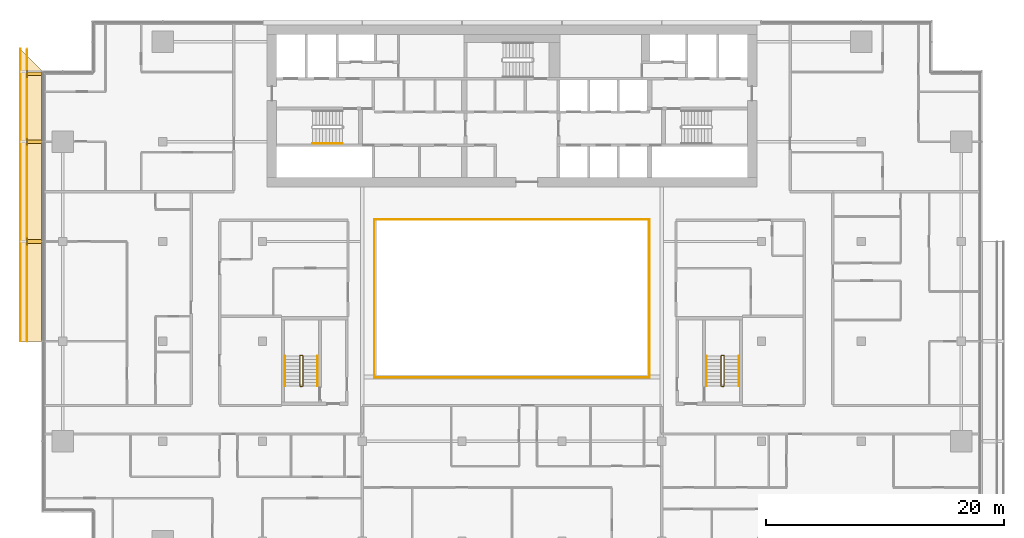
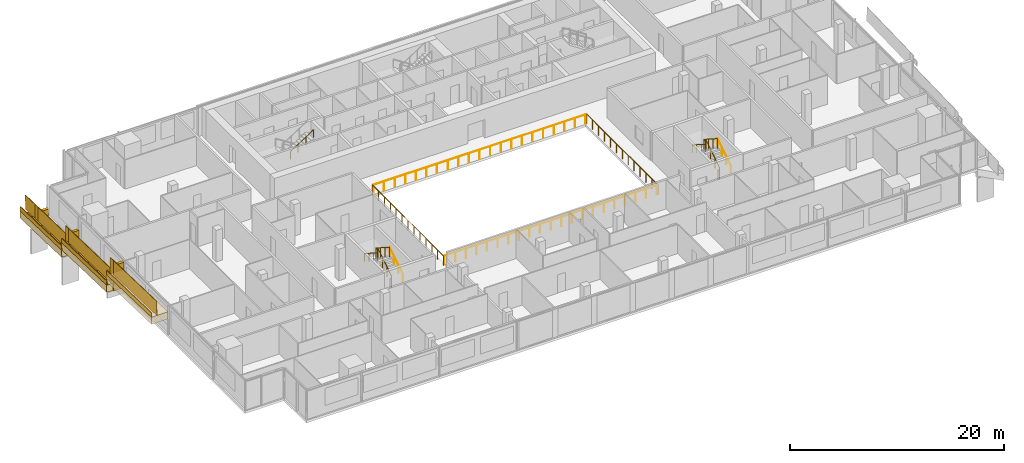
# One storey, part 25 of 27: 17 railings, 9 coverings.
"""IFC4 building model written with IfcOpenShell, lengths in metres."""

from ifc_helpers import new_model, si_unit, direction, frame, origin, origin_2d, place, context, subcontext, project, spatial, polyline, rectangle, circle, outline, extrude, material, layer, layer_set, type_object, element, save


model = new_model("IFC4")

# Units and contexts
model_context = context("Model", 3, precision=1e-05, world=origin(), true_north=direction((0.0, 1.0)))
body_context = subcontext(model_context, "Body", "Model", "MODEL_VIEW")
ifc_project = project(units=[si_unit("LENGTHUNIT", "METRE"), si_unit("AREAUNIT", "SQUARE_METRE"), si_unit("VOLUMEUNIT", "CUBIC_METRE"), si_unit("PLANEANGLEUNIT", "RADIAN"), si_unit("MASSUNIT", "GRAM", prefix="KILO")], contexts=[model_context])

# Site, building, storey
site_placement = place(None, origin())
site = spatial("IfcSite", under=ifc_project, at=site_placement, CompositionType="ELEMENT")
building_placement = place(site_placement, origin())
building = spatial("IfcBuilding", under=site, at=building_placement, Name="Saffron Gate Tower", CompositionType="ELEMENT")
storey_placement = place(building_placement, frame((0.0, 0.0, 183.449951171875)))
storey = spatial("IfcBuildingStorey", under=building, at=storey_placement, Name="L45", CompositionType="ELEMENT", Elevation=183.449951171875)

# Railings
ifc_material_1 = material(Name="Stainless steel and laminated glass", Category="steel")
railing_type_1 = type_object("IfcRailingType", Name="AG1 Atrium edge guard 1100", PredefinedType="GUARDRAIL", material=ifc_material_1)
railing_1_placement = place(storey_placement, frame((76.02001953125, 45.5400390625, 0.0)))
element("IfcRailing", 1, at=railing_1_placement, inside=storey, type_object=railing_type_1, Name="Guard C4-1", PredefinedType="GUARDRAIL", context=body_context, shape_type="SweptSolid", body=[
    extrude(circle(Radius=0.02392578125, at=origin_2d()), frame((0.0, 0.0, 1.076171875), z_axis=(0.0, 1.0, 0.0), x_axis=(-1.0, 0.0, 0.0)), (0.0, 0.0, 1.0), 13.320068359375),
    extrude(circle(Radius=0.02099609375, at=origin_2d()), origin(), (0.0, 0.0, 1.0), 1.052001953125),
    extrude(circle(Radius=0.02099609375, at=origin_2d()), frame((0.0, 1.110107421875, 0.0)), (0.0, 0.0, 1.0), 1.052001953125),
    extrude(circle(Radius=0.02099609375, at=origin_2d()), frame((0.0, 2.219970703125, 0.0)), (0.0, 0.0, 1.0), 1.052001953125),
    extrude(circle(Radius=0.02099609375, at=origin_2d()), frame((0.0, 3.330078125, 0.0)), (0.0, 0.0, 1.0), 1.052001953125),
    extrude(circle(Radius=0.02099609375, at=origin_2d()), frame((0.0, 4.43994140625, 0.0)), (0.0, 0.0, 1.0), 1.052001953125),
    extrude(circle(Radius=0.02099609375, at=origin_2d()), frame((0.0, 5.550048828125, 0.0)), (0.0, 0.0, 1.0), 1.052001953125),
    extrude(circle(Radius=0.02099609375, at=origin_2d()), frame((0.0, 6.66015625, 0.0)), (0.0, 0.0, 1.0), 1.052001953125),
    extrude(circle(Radius=0.02099609375, at=origin_2d()), frame((0.0, 7.77001953125, 0.0)), (0.0, 0.0, 1.0), 1.052001953125),
    extrude(circle(Radius=0.02099609375, at=origin_2d()), frame((0.0, 8.880126953125, 0.0)), (0.0, 0.0, 1.0), 1.052001953125),
    extrude(circle(Radius=0.02099609375, at=origin_2d()), frame((0.0, 9.989990234375, 0.0)), (0.0, 0.0, 1.0), 1.052001953125),
    extrude(circle(Radius=0.02099609375, at=origin_2d()), frame((0.0, 11.10009765625, 0.0)), (0.0, 0.0, 1.0), 1.052001953125),
    extrude(circle(Radius=0.02099609375, at=origin_2d()), frame((0.0, 12.2099609375, 0.0)), (0.0, 0.0, 1.0), 1.052001953125),
    extrude(circle(Radius=0.02099609375, at=origin_2d()), frame((0.0, 13.320068359375, 0.0)), (0.0, 0.0, 1.0), 1.052001953125),
])
railing_2_placement = place(storey_placement, frame((76.139892578125, 58.860107421875, 0.0)))
element("IfcRailing", 2, at=railing_2_placement, inside=storey, type_object=railing_type_1, Name="Guard C4-2", PredefinedType="GUARDRAIL", context=body_context, shape_type="SweptSolid", body=[
    extrude(circle(Radius=0.02392578125, at=origin_2d()), frame((0.0, 0.0, 1.076171875), z_axis=(1.0, 0.0, 0.0), x_axis=(0.0, 1.0, 0.0)), (0.0, 0.0, 1.0), 22.920166015625),
    extrude(circle(Radius=0.02099609375, at=origin_2d()), origin(), (0.0, 0.0, 1.0), 1.052001953125),
    extrude(circle(Radius=0.02099609375, at=origin_2d()), frame((1.14599609375, 0.0, 0.0)), (0.0, 0.0, 1.0), 1.052001953125),
    extrude(circle(Radius=0.02099609375, at=origin_2d()), frame((2.2919921875, 0.0, 0.0)), (0.0, 0.0, 1.0), 1.052001953125),
    extrude(circle(Radius=0.02099609375, at=origin_2d()), frame((3.43798828125, 0.0, 0.0)), (0.0, 0.0, 1.0), 1.052001953125),
    extrude(circle(Radius=0.02099609375, at=origin_2d()), frame((4.583984375, 0.0, 0.0)), (0.0, 0.0, 1.0), 1.052001953125),
    extrude(circle(Radius=0.02099609375, at=origin_2d()), frame((5.72998046875, 0.0, 0.0)), (0.0, 0.0, 1.0), 1.052001953125),
    extrude(circle(Radius=0.02099609375, at=origin_2d()), frame((6.8759765625, 0.0, 0.0)), (0.0, 0.0, 1.0), 1.052001953125),
    extrude(circle(Radius=0.02099609375, at=origin_2d()), frame((8.02197265625, 0.0, 0.0)), (0.0, 0.0, 1.0), 1.052001953125),
    extrude(circle(Radius=0.02099609375, at=origin_2d()), frame((9.16796875, 0.0, 0.0)), (0.0, 0.0, 1.0), 1.052001953125),
    extrude(circle(Radius=0.02099609375, at=origin_2d()), frame((10.31396484375, 0.0, 0.0)), (0.0, 0.0, 1.0), 1.052001953125),
    extrude(circle(Radius=0.02099609375, at=origin_2d()), frame((11.4599609375, 0.0, 0.0)), (0.0, 0.0, 1.0), 1.052001953125),
    extrude(circle(Radius=0.02099609375, at=origin_2d()), frame((12.606201171875, 0.0, 0.0)), (0.0, 0.0, 1.0), 1.052001953125),
    extrude(circle(Radius=0.02099609375, at=origin_2d()), frame((13.752197265625, 0.0, 0.0)), (0.0, 0.0, 1.0), 1.052001953125),
    extrude(circle(Radius=0.02099609375, at=origin_2d()), frame((14.898193359375, 0.0, 0.0)), (0.0, 0.0, 1.0), 1.052001953125),
    extrude(circle(Radius=0.02099609375, at=origin_2d()), frame((16.044189453125, 0.0, 0.0)), (0.0, 0.0, 1.0), 1.052001953125),
    extrude(circle(Radius=0.02099609375, at=origin_2d()), frame((17.190185546875, 0.0, 0.0)), (0.0, 0.0, 1.0), 1.052001953125),
    extrude(circle(Radius=0.02099609375, at=origin_2d()), frame((18.336181640625, 0.0, 0.0)), (0.0, 0.0, 1.0), 1.052001953125),
    extrude(circle(Radius=0.02099609375, at=origin_2d()), frame((19.482177734375, 0.0, 0.0)), (0.0, 0.0, 1.0), 1.052001953125),
    extrude(circle(Radius=0.02099609375, at=origin_2d()), frame((20.628173828125, 0.0, 0.0)), (0.0, 0.0, 1.0), 1.052001953125),
    extrude(circle(Radius=0.02099609375, at=origin_2d()), frame((21.774169921875, 0.0, 0.0)), (0.0, 0.0, 1.0), 1.052001953125),
    extrude(circle(Radius=0.02099609375, at=origin_2d()), frame((22.920166015625, 0.0, 0.0)), (0.0, 0.0, 1.0), 1.052001953125),
])
railing_3_placement = place(storey_placement, frame((99.179931640625, 58.860107421875, 0.0)))
element("IfcRailing", 3, at=railing_3_placement, inside=storey, type_object=railing_type_1, Name="Guard C4-3", PredefinedType="GUARDRAIL", context=body_context, shape_type="SweptSolid", body=[
    extrude(circle(Radius=0.02392578125, at=origin_2d()), frame((0.0, 0.0, 1.076171875), z_axis=(0.0, -1.0, 0.0), x_axis=(1.0, 0.0, 0.0)), (0.0, 0.0, 1.0), 13.320068359375),
    extrude(circle(Radius=0.02099609375, at=origin_2d()), origin(), (0.0, 0.0, 1.0), 1.052001953125),
    extrude(circle(Radius=0.02099609375, at=origin_2d()), frame((0.0, -1.110107421875, 0.0)), (0.0, 0.0, 1.0), 1.052001953125),
    extrude(circle(Radius=0.02099609375, at=origin_2d()), frame((0.0, -2.219970703125, 0.0)), (0.0, 0.0, 1.0), 1.052001953125),
    extrude(circle(Radius=0.02099609375, at=origin_2d()), frame((0.0, -3.330078125, 0.0)), (0.0, 0.0, 1.0), 1.052001953125),
    extrude(circle(Radius=0.02099609375, at=origin_2d()), frame((0.0, -4.43994140625, 0.0)), (0.0, 0.0, 1.0), 1.052001953125),
    extrude(circle(Radius=0.02099609375, at=origin_2d()), frame((0.0, -5.550048828125, 0.0)), (0.0, 0.0, 1.0), 1.052001953125),
    extrude(circle(Radius=0.02099609375, at=origin_2d()), frame((0.0, -6.66015625, 0.0)), (0.0, 0.0, 1.0), 1.052001953125),
    extrude(circle(Radius=0.02099609375, at=origin_2d()), frame((0.0, -7.77001953125, 0.0)), (0.0, 0.0, 1.0), 1.052001953125),
    extrude(circle(Radius=0.02099609375, at=origin_2d()), frame((0.0, -8.880126953125, 0.0)), (0.0, 0.0, 1.0), 1.052001953125),
    extrude(circle(Radius=0.02099609375, at=origin_2d()), frame((0.0, -9.989990234375, 0.0)), (0.0, 0.0, 1.0), 1.052001953125),
    extrude(circle(Radius=0.02099609375, at=origin_2d()), frame((0.0, -11.10009765625, 0.0)), (0.0, 0.0, 1.0), 1.052001953125),
    extrude(circle(Radius=0.02099609375, at=origin_2d()), frame((0.0, -12.2099609375, 0.0)), (0.0, 0.0, 1.0), 1.052001953125),
    extrude(circle(Radius=0.02099609375, at=origin_2d()), frame((0.0, -13.320068359375, 0.0)), (0.0, 0.0, 1.0), 1.052001953125),
])
railing_4_placement = place(storey_placement, frame((99.06005859375, 45.5400390625, 0.0)))
element("IfcRailing", 4, at=railing_4_placement, inside=storey, type_object=railing_type_1, Name="Guard C4-4", PredefinedType="GUARDRAIL", context=body_context, shape_type="SweptSolid", body=[
    extrude(circle(Radius=0.02392578125, at=origin_2d()), frame((0.0, 0.0, 1.076171875), z_axis=(-1.0, 0.0, 0.0), x_axis=(0.0, -1.0, 0.0)), (0.0, 0.0, 1.0), 22.920166015625),
    extrude(circle(Radius=0.02099609375, at=origin_2d()), origin(), (0.0, 0.0, 1.0), 1.052001953125),
    extrude(circle(Radius=0.02099609375, at=origin_2d()), frame((-1.14599609375, 0.0, 0.0)), (0.0, 0.0, 1.0), 1.052001953125),
    extrude(circle(Radius=0.02099609375, at=origin_2d()), frame((-2.2919921875, 0.0, 0.0)), (0.0, 0.0, 1.0), 1.052001953125),
    extrude(circle(Radius=0.02099609375, at=origin_2d()), frame((-3.43798828125, 0.0, 0.0)), (0.0, 0.0, 1.0), 1.052001953125),
    extrude(circle(Radius=0.02099609375, at=origin_2d()), frame((-4.583984375, 0.0, 0.0)), (0.0, 0.0, 1.0), 1.052001953125),
    extrude(circle(Radius=0.02099609375, at=origin_2d()), frame((-5.72998046875, 0.0, 0.0)), (0.0, 0.0, 1.0), 1.052001953125),
    extrude(circle(Radius=0.02099609375, at=origin_2d()), frame((-6.8759765625, 0.0, 0.0)), (0.0, 0.0, 1.0), 1.052001953125),
    extrude(circle(Radius=0.02099609375, at=origin_2d()), frame((-8.02197265625, 0.0, 0.0)), (0.0, 0.0, 1.0), 1.052001953125),
    extrude(circle(Radius=0.02099609375, at=origin_2d()), frame((-9.16796875, 0.0, 0.0)), (0.0, 0.0, 1.0), 1.052001953125),
    extrude(circle(Radius=0.02099609375, at=origin_2d()), frame((-10.31396484375, 0.0, 0.0)), (0.0, 0.0, 1.0), 1.052001953125),
    extrude(circle(Radius=0.02099609375, at=origin_2d()), frame((-11.4599609375, 0.0, 0.0)), (0.0, 0.0, 1.0), 1.052001953125),
    extrude(circle(Radius=0.02099609375, at=origin_2d()), frame((-12.606201171875, 0.0, 0.0)), (0.0, 0.0, 1.0), 1.052001953125),
    extrude(circle(Radius=0.02099609375, at=origin_2d()), frame((-13.752197265625, 0.0, 0.0)), (0.0, 0.0, 1.0), 1.052001953125),
    extrude(circle(Radius=0.02099609375, at=origin_2d()), frame((-14.898193359375, 0.0, 0.0)), (0.0, 0.0, 1.0), 1.052001953125),
    extrude(circle(Radius=0.02099609375, at=origin_2d()), frame((-16.044189453125, 0.0, 0.0)), (0.0, 0.0, 1.0), 1.052001953125),
    extrude(circle(Radius=0.02099609375, at=origin_2d()), frame((-17.190185546875, 0.0, 0.0)), (0.0, 0.0, 1.0), 1.052001953125),
    extrude(circle(Radius=0.02099609375, at=origin_2d()), frame((-18.336181640625, 0.0, 0.0)), (0.0, 0.0, 1.0), 1.052001953125),
    extrude(circle(Radius=0.02099609375, at=origin_2d()), frame((-19.482177734375, 0.0, 0.0)), (0.0, 0.0, 1.0), 1.052001953125),
    extrude(circle(Radius=0.02099609375, at=origin_2d()), frame((-20.628173828125, 0.0, 0.0)), (0.0, 0.0, 1.0), 1.052001953125),
    extrude(circle(Radius=0.02099609375, at=origin_2d()), frame((-21.774169921875, 0.0, 0.0)), (0.0, 0.0, 1.0), 1.052001953125),
    extrude(circle(Radius=0.02099609375, at=origin_2d()), frame((-22.920166015625, 0.0, 0.0)), (0.0, 0.0, 1.0), 1.052001953125),
])
railing_type_2 = type_object("IfcRailingType", Name="CR1 Stair guard 1100", PredefinedType="GUARDRAIL", material=ifc_material_1)
railing_5_placement = place(storey_placement, frame((69.800048828125, 44.800048828125, 0.0)))
element("IfcRailing", 5, at=railing_5_placement, inside=storey, type_object=railing_type_2, Name="L45 ST-D stair guard 1", PredefinedType="GUARDRAIL", context=body_context, shape_type="SweptSolid", body=[
    extrude(circle(Radius=0.02392578125, at=origin_2d()), frame((0.0, 0.0, 1.076171875), z_axis=(1.0, 0.0, 0.0), x_axis=(0.0, 1.0, 0.0)), (0.0, 0.0, 1.0), 0.14990234375),
    extrude(circle(Radius=0.02392578125, at=origin_2d()), frame((0.14990234375, 0.0, 1.076171875), z_axis=(0.258847668887, 0.258847668887, 0.930588936439), x_axis=(-0.707106781187, 0.707106781187, 0.0)), (0.0, 0.0, 1.0), 0.193359375),
    extrude(circle(Radius=0.02392578125, at=origin_2d()), frame((0.199951171875, 0.050048828125, 1.255859375), z_axis=(0.0, 0.841162588446, 0.540782303519), x_axis=(-1.0, 0.0, 0.0)), (0.0, 0.0, 1.0), 2.995849609375),
    extrude(circle(Radius=0.02392578125, at=origin_2d()), frame((0.199951171875, 2.570068359375, 2.8759765625), z_axis=(-0.708833529934, 0.705375805398, 0.0), x_axis=(-0.705375805398, -0.708833529934, 0.0)), (0.0, 0.0, 1.0), 0.070556640625),
    extrude(circle(Radius=0.02392578125, at=origin_2d()), frame((0.14990234375, 2.619873046875, 2.8759765625), z_axis=(-1.0, 0.0, 0.0), x_axis=(0.0, -1.0, 0.0)), (0.0, 0.0, 1.0), 0.14990234375),
    extrude(circle(Radius=0.02392578125, at=origin_2d()), frame((0.0, 2.619873046875, 2.8759765625), z_axis=(-0.258932105505, -0.257669022063, 0.930892496375), x_axis=(0.705375805398, -0.708833529934, 0.0)), (0.0, 0.0, 1.0), 0.193359375),
    extrude(circle(Radius=0.02392578125, at=origin_2d()), frame((-0.050048828125, 2.570068359375, 3.05615234375), z_axis=(0.0, -0.841162588446, 0.540782303519), x_axis=(1.0, 0.0, 0.0)), (0.0, 0.0, 1.0), 2.995849609375),
    extrude(circle(Radius=0.02099609375, at=origin_2d()), origin(), (0.0, 0.0, 1.0), 1.052001953125),
    extrude(circle(Radius=0.02099609375, at=origin_2d()), frame((0.14990234375, 0.0, 0.0)), (0.0, 0.0, 1.0), 1.052001953125),
    extrude(circle(Radius=0.02099609375, at=origin_2d()), frame((0.199951171875, 0.050048828125, 0.179931640625)), (0.0, 0.0, 1.0), 1.052001953125),
    extrude(circle(Radius=0.02099609375, at=origin_2d()), frame((0.199951171875, 0.89013671875, 0.719970703125)), (0.0, 0.0, 1.0), 1.052001953125),
    extrude(circle(Radius=0.02099609375, at=origin_2d()), frame((0.199951171875, 1.72998046875, 1.260009765625)), (0.0, 0.0, 1.0), 1.052001953125),
    extrude(circle(Radius=0.02099609375, at=origin_2d()), frame((0.199951171875, 2.570068359375, 1.800048828125)), (0.0, 0.0, 1.0), 1.052001953125),
    extrude(circle(Radius=0.02099609375, at=origin_2d()), frame((0.14990234375, 2.619873046875, 1.800048828125)), (0.0, 0.0, 1.0), 1.052001953125),
    extrude(circle(Radius=0.02099609375, at=origin_2d()), frame((0.0, 2.619873046875, 1.800048828125)), (0.0, 0.0, 1.0), 1.052001953125),
    extrude(circle(Radius=0.02099609375, at=origin_2d()), frame((-0.050048828125, 2.570068359375, 1.97998046875)), (0.0, 0.0, 1.0), 1.052001953125),
    extrude(circle(Radius=0.02099609375, at=origin_2d()), frame((-0.050048828125, 1.72998046875, 2.52001953125)), (0.0, 0.0, 1.0), 1.052001953125),
    extrude(circle(Radius=0.02099609375, at=origin_2d()), frame((-0.050048828125, 0.89013671875, 3.06005859375)), (0.0, 0.0, 1.0), 1.052001953125),
    extrude(circle(Radius=0.02099609375, at=origin_2d()), frame((-0.050048828125, 0.050048828125, 3.60009765625)), (0.0, 0.0, 1.0), 1.052001953125),
])
railing_6_placement = place(storey_placement, frame((105.25, 44.800048828125, 0.0)))
element("IfcRailing", 6, at=railing_6_placement, inside=storey, type_object=railing_type_2, Name="L45 ST-E stair guard 1", PredefinedType="GUARDRAIL", context=body_context, shape_type="SweptSolid", body=[
    extrude(circle(Radius=0.02392578125, at=origin_2d()), frame((0.0, 0.0, 1.076171875), z_axis=(1.0, 0.0, 0.0), x_axis=(0.0, 1.0, 0.0)), (0.0, 0.0, 1.0), 0.14990234375),
    extrude(circle(Radius=0.02392578125, at=origin_2d()), frame((0.14990234375, 0.0, 1.076171875), z_axis=(0.258847668887, 0.258847668887, 0.930588936439), x_axis=(-0.707106781187, 0.707106781187, 0.0)), (0.0, 0.0, 1.0), 0.193359375),
    extrude(circle(Radius=0.02392578125, at=origin_2d()), frame((0.199951171875, 0.050048828125, 1.255859375), z_axis=(0.0, 0.841162588446, 0.540782303519), x_axis=(-1.0, 0.0, 0.0)), (0.0, 0.0, 1.0), 2.995849609375),
    extrude(circle(Radius=0.02392578125, at=origin_2d()), frame((0.199951171875, 2.570068359375, 2.8759765625), z_axis=(-0.708833529934, 0.705375805398, 0.0), x_axis=(-0.705375805398, -0.708833529934, 0.0)), (0.0, 0.0, 1.0), 0.070556640625),
    extrude(circle(Radius=0.02392578125, at=origin_2d()), frame((0.14990234375, 2.619873046875, 2.8759765625), z_axis=(-1.0, 0.0, 0.0), x_axis=(0.0, -1.0, 0.0)), (0.0, 0.0, 1.0), 0.14990234375),
    extrude(circle(Radius=0.02392578125, at=origin_2d()), frame((0.0, 2.619873046875, 2.8759765625), z_axis=(-0.258932105505, -0.257669022063, 0.930892496375), x_axis=(0.705375805398, -0.708833529934, 0.0)), (0.0, 0.0, 1.0), 0.193359375),
    extrude(circle(Radius=0.02392578125, at=origin_2d()), frame((-0.050048828125, 2.570068359375, 3.05615234375), z_axis=(0.0, -0.841162588446, 0.540782303519), x_axis=(1.0, 0.0, 0.0)), (0.0, 0.0, 1.0), 2.995849609375),
    extrude(circle(Radius=0.02099609375, at=origin_2d()), origin(), (0.0, 0.0, 1.0), 1.052001953125),
    extrude(circle(Radius=0.02099609375, at=origin_2d()), frame((0.14990234375, 0.0, 0.0)), (0.0, 0.0, 1.0), 1.052001953125),
    extrude(circle(Radius=0.02099609375, at=origin_2d()), frame((0.199951171875, 0.050048828125, 0.179931640625)), (0.0, 0.0, 1.0), 1.052001953125),
    extrude(circle(Radius=0.02099609375, at=origin_2d()), frame((0.199951171875, 0.89013671875, 0.719970703125)), (0.0, 0.0, 1.0), 1.052001953125),
    extrude(circle(Radius=0.02099609375, at=origin_2d()), frame((0.199951171875, 1.72998046875, 1.260009765625)), (0.0, 0.0, 1.0), 1.052001953125),
    extrude(circle(Radius=0.02099609375, at=origin_2d()), frame((0.199951171875, 2.570068359375, 1.800048828125)), (0.0, 0.0, 1.0), 1.052001953125),
    extrude(circle(Radius=0.02099609375, at=origin_2d()), frame((0.14990234375, 2.619873046875, 1.800048828125)), (0.0, 0.0, 1.0), 1.052001953125),
    extrude(circle(Radius=0.02099609375, at=origin_2d()), frame((0.0, 2.619873046875, 1.800048828125)), (0.0, 0.0, 1.0), 1.052001953125),
    extrude(circle(Radius=0.02099609375, at=origin_2d()), frame((-0.050048828125, 2.570068359375, 1.97998046875)), (0.0, 0.0, 1.0), 1.052001953125),
    extrude(circle(Radius=0.02099609375, at=origin_2d()), frame((-0.050048828125, 1.72998046875, 2.52001953125)), (0.0, 0.0, 1.0), 1.052001953125),
    extrude(circle(Radius=0.02099609375, at=origin_2d()), frame((-0.050048828125, 0.89013671875, 3.06005859375)), (0.0, 0.0, 1.0), 1.052001953125),
    extrude(circle(Radius=0.02099609375, at=origin_2d()), frame((-0.050048828125, 0.050048828125, 3.60009765625)), (0.0, 0.0, 1.0), 1.052001953125),
])
ifc_material_2 = material(Name="Stainless steel", Category="steel")
railing_type_3 = type_object("IfcRailingType", Name="CR2 Stair handrail 900", PredefinedType="HANDRAIL", material=ifc_material_2)
railing_7_placement = place(storey_placement, frame((70.830078125, 65.25, 1.97998046875)))
element("IfcRailing", 7, at=railing_7_placement, inside=storey, type_object=railing_type_3, Name="L45 ST-A stair handrail 2", PredefinedType="HANDRAIL", context=body_context, shape_type="SweptSolid", body=[
    extrude(circle(Radius=0.02392578125, at=origin_2d()), frame((0.0, 0.0, 0.8759765625), z_axis=(0.841162588446, 0.0, 0.540782303519), x_axis=(0.0, 1.0, 0.0)), (0.0, 0.0, 1.0), 2.995849609375),
    extrude(circle(Radius=0.02099609375, at=origin_2d()), origin(), (0.0, 0.0, 1.0), 0.851806640625),
    extrude(circle(Radius=0.02099609375, at=origin_2d()), frame((0.840087890625, 0.0, 0.5400390625)), (0.0, 0.0, 1.0), 0.851806640625),
    extrude(circle(Radius=0.02099609375, at=origin_2d()), frame((1.679931640625, 0.0, 1.080078125)), (0.0, 0.0, 1.0), 0.851806640625),
    extrude(circle(Radius=0.02099609375, at=origin_2d()), frame((2.52001953125, 0.0, 1.6201171875)), (0.0, 0.0, 1.0), 0.851806640625),
])
railing_8_placement = place(storey_placement, frame((71.25, 44.85009765625, 0.179931640625)))
element("IfcRailing", 8, at=railing_8_placement, inside=storey, type_object=railing_type_3, Name="L45 ST-D stair handrail 1", PredefinedType="HANDRAIL", context=body_context, shape_type="SweptSolid", body=[
    extrude(circle(Radius=0.02392578125, at=origin_2d()), frame((0.0, 0.0, 0.8759765625), z_axis=(0.0, 0.841162588446, 0.540782303519), x_axis=(-1.0, 0.0, 0.0)), (0.0, 0.0, 1.0), 2.995849609375),
    extrude(circle(Radius=0.02099609375, at=origin_2d()), origin(), (0.0, 0.0, 1.0), 0.851806640625),
    extrude(circle(Radius=0.02099609375, at=origin_2d()), frame((0.0, 0.840087890625, 0.5400390625)), (0.0, 0.0, 1.0), 0.851806640625),
    extrude(circle(Radius=0.02099609375, at=origin_2d()), frame((0.0, 1.679931640625, 1.080078125)), (0.0, 0.0, 1.0), 0.851806640625),
    extrude(circle(Radius=0.02099609375, at=origin_2d()), frame((0.0, 2.52001953125, 1.6201171875)), (0.0, 0.0, 1.0), 0.851806640625),
])
railing_9_placement = place(storey_placement, frame((68.5, 47.3701171875, 1.97998046875)))
element("IfcRailing", 9, at=railing_9_placement, inside=storey, type_object=railing_type_3, Name="L45 ST-D stair handrail 2", PredefinedType="HANDRAIL", context=body_context, shape_type="SweptSolid", body=[
    extrude(circle(Radius=0.02392578125, at=origin_2d()), frame((0.0, 0.0, 0.8759765625), z_axis=(0.0, -0.841162588446, 0.540782303519), x_axis=(1.0, 0.0, 0.0)), (0.0, 0.0, 1.0), 2.995849609375),
    extrude(circle(Radius=0.02099609375, at=origin_2d()), origin(), (0.0, 0.0, 1.0), 0.851806640625),
    extrude(circle(Radius=0.02099609375, at=origin_2d()), frame((0.0, -0.840087890625, 0.5400390625)), (0.0, 0.0, 1.0), 0.851806640625),
    extrude(circle(Radius=0.02099609375, at=origin_2d()), frame((0.0, -1.679931640625, 1.080078125)), (0.0, 0.0, 1.0), 0.851806640625),
    extrude(circle(Radius=0.02099609375, at=origin_2d()), frame((0.0, -2.52001953125, 1.6201171875)), (0.0, 0.0, 1.0), 0.851806640625),
])
railing_10_placement = place(storey_placement, frame((106.699951171875, 44.85009765625, 0.179931640625)))
element("IfcRailing", 10, at=railing_10_placement, inside=storey, type_object=railing_type_3, Name="L45 ST-E stair handrail 1", PredefinedType="HANDRAIL", context=body_context, shape_type="SweptSolid", body=[
    extrude(circle(Radius=0.02392578125, at=origin_2d()), frame((0.0, 0.0, 0.8759765625), z_axis=(0.0, 0.841162588446, 0.540782303519), x_axis=(-1.0, 0.0, 0.0)), (0.0, 0.0, 1.0), 2.995849609375),
    extrude(circle(Radius=0.02099609375, at=origin_2d()), origin(), (0.0, 0.0, 1.0), 0.851806640625),
    extrude(circle(Radius=0.02099609375, at=origin_2d()), frame((0.0, 0.840087890625, 0.5400390625)), (0.0, 0.0, 1.0), 0.851806640625),
    extrude(circle(Radius=0.02099609375, at=origin_2d()), frame((0.0, 1.679931640625, 1.080078125)), (0.0, 0.0, 1.0), 0.851806640625),
    extrude(circle(Radius=0.02099609375, at=origin_2d()), frame((0.0, 2.52001953125, 1.6201171875)), (0.0, 0.0, 1.0), 0.851806640625),
])
railing_11_placement = place(storey_placement, frame((103.949951171875, 47.3701171875, 1.97998046875)))
element("IfcRailing", 11, at=railing_11_placement, inside=storey, type_object=railing_type_3, Name="L45 ST-E stair handrail 2", PredefinedType="HANDRAIL", context=body_context, shape_type="SweptSolid", body=[
    extrude(circle(Radius=0.02392578125, at=origin_2d()), frame((0.0, 0.0, 0.8759765625), z_axis=(0.0, -0.841162588446, 0.540782303519), x_axis=(1.0, 0.0, 0.0)), (0.0, 0.0, 1.0), 2.995849609375),
    extrude(circle(Radius=0.02099609375, at=origin_2d()), origin(), (0.0, 0.0, 1.0), 0.851806640625),
    extrude(circle(Radius=0.02099609375, at=origin_2d()), frame((0.0, -0.840087890625, 0.5400390625)), (0.0, 0.0, 1.0), 0.851806640625),
    extrude(circle(Radius=0.02099609375, at=origin_2d()), frame((0.0, -1.679931640625, 1.080078125)), (0.0, 0.0, 1.0), 0.851806640625),
    extrude(circle(Radius=0.02099609375, at=origin_2d()), frame((0.0, -2.52001953125, 1.6201171875)), (0.0, 0.0, 1.0), 0.851806640625),
])

# Coverings
ifc_material_3 = material(Name="Timber, thermally modified ash", Category="wood")
ifc_layer_1 = layer(ifc_material_3, 0.800048828125)
ifc_layer_set_1 = layer_set([ifc_layer_1], Name="LD1 ledge timber")
covering_type_1 = type_object("IfcCoveringType", Name="LD1 ledge timber", PredefinedType="CLADDING", material=ifc_layer_set_1)
covering_1_placement = place(storey_placement, frame((48.0, 71.39990234375, -0.07177734375), z_axis=(2.391759e-05, 0.028789477025, 0.999585496814), x_axis=(-1.72e-10, -0.9995854971, 0.028789477033)))
element("IfcCovering", 12, at=covering_1_placement, inside=storey, type_object=covering_type_1, Name="LEDGE", PredefinedType="CLADDING", context=body_context, shape_type="SweptSolid", body=[
    extrude(outline(polyline([(0.0, 0.0), (6.002489288687248, -8.470329472543003e-22), (6.002489288996045, -1.8000488276101398), (-1.800792782710612, -1.8000488299785034), (0.0, 0.0)])), origin(), (0.0, 0.0, -1.0), 0.800048828125),
])
for number, where, z_axis, x_axis, name in (
    (13, (48.0, 65.39990234375, 0.95849609375), (0.0, 0.028791175352, 0.999585448184), (0.0, -0.999585448184, 0.028791175352), "LEDGE"),
    (14, (48.0, 57.0, 2.40087890625), (0.0, 0.028791175352, 0.999585448184), (0.0, -0.999585448184, 0.028791175352), "LEDGE"),
):
    element("IfcCovering", number, at=place(storey_placement, frame(where, z_axis=z_axis, x_axis=x_axis)), inside=storey, type_object=covering_type_1, Name=name, PredefinedType="CLADDING", context=body_context, shape_type="SweptSolid", body=[
        extrude(outline(polyline([(0.0, 0.0), (8.403385982666892, 0.0), (8.403385982666892, -1.800048828125), (0.0, -1.800048828125), (0.0, 0.0)])), origin(), (0.0, 0.0, -1.0), 0.800048828125),
    ])
ifc_layer_2 = layer(ifc_material_3, 0.080078125)
ifc_layer_set_2 = layer_set([ifc_layer_2], Name="LD2 ledge planter trough")
covering_type_2 = type_object("IfcCoveringType", Name="LD2 ledge planter trough", PredefinedType="CLADDING", material=ifc_layer_set_2)
covering_2_placement = place(storey_placement, frame((46.199951171875, 73.199951171875, -0.12353515625), z_axis=(-1.0, 0.0, 0.0), x_axis=(0.0, -0.999585655924, 0.028783962047)))
element("IfcCovering", 15, at=covering_2_placement, inside=storey, type_object=covering_type_2, Name="LEDGE planter trough", PredefinedType="CLADDING", context=body_context, shape_type="SweptSolid", body=[
    extrude(outline(polyline([(0.0, 0.0), (7.803282071825423, 2.7755575615628914e-17), (7.817674052849086, 0.4997928279619612), (0.014391981023662846, 0.4997928279619612), (0.0, 0.0)])), origin(), (0.0, 0.0, -1.0), 0.080078125),
])
for number, where, z_axis, x_axis, name in (
    (16, (46.199951171875, 65.39990234375, 0.95849609375), (-1.0, 0.0, 0.0), (0.0, -0.999585448184, 0.028791175352), "LEDGE planter trough"),
    (17, (46.199951171875, 57.0, 2.40087890625), (-1.0, 0.0, 0.0), (0.0, -0.999585448184, 0.028791175352), "LEDGE planter trough"),
):
    element("IfcCovering", number, at=place(storey_placement, frame(where, z_axis=z_axis, x_axis=x_axis)), inside=storey, type_object=covering_type_2, Name=name, PredefinedType="CLADDING", context=body_context, shape_type="SweptSolid", body=[
        extrude(outline(polyline([(0.0, 0.0), (8.403385982666892, 0.0), (8.417781570342743, 0.49979272409216496), (0.014395587675851172, 0.4997927240921649), (0.0, 0.0)])), origin(), (0.0, 0.0, -1.0), 0.080078125),
    ])
ifc_layer_3 = layer(ifc_material_3, 0.300048828125)
ifc_layer_set_3 = layer_set([ifc_layer_3], Name="LD3 ledge riser fin")
covering_type_3 = type_object("IfcCoveringType", Name="LD3 ledge riser fin", PredefinedType="CLADDING", material=ifc_layer_set_3)
covering_3_placement = place(storey_placement, frame((47.43994140625, 71.10009765625, -1.12890625), z_axis=(0.0, 0.0, 1.0), x_axis=(0.0, -1.0, 0.0)))
element("IfcCovering", 18, at=covering_3_placement, inside=storey, type_object=covering_type_3, Name="LEDGE riser fin", PredefinedType="CLADDING", context=body_context, shape_type="SweptSolid", body=[
    extrude(rectangle(XDim=0.300048828125, YDim=1.1201171875, at=origin_2d()), origin(), (0.0, 0.0, 1.0), 1.957275390625),
])
covering_4_placement = place(storey_placement, frame((47.43994140625, 65.39990234375, -0.69873046875), z_axis=(0.0, 0.0, 1.0), x_axis=(0.0, -1.0, 0.0)))
element("IfcCovering", 19, at=covering_4_placement, inside=storey, type_object=covering_type_3, Name="LEDGE riser fin", PredefinedType="CLADDING", context=body_context, shape_type="SweptSolid", body=[
    extrude(rectangle(XDim=0.300048828125, YDim=1.1201171875, at=origin_2d()), origin(), (0.0, 0.0, 1.0), 2.557373046875),
])
covering_5_placement = place(storey_placement, frame((47.43994140625, 57.0, 0.400390625), z_axis=(0.0, 0.0, 1.0), x_axis=(0.0, -1.0, 0.0)))
element("IfcCovering", 20, at=covering_5_placement, inside=storey, type_object=covering_type_3, Name="LEDGE riser fin", PredefinedType="CLADDING", context=body_context, shape_type="SweptSolid", body=[
    extrude(rectangle(XDim=0.300048828125, YDim=1.1201171875, at=origin_2d()), origin(), (0.0, 0.0, 1.0), 2.900390625),
])

# Railings
railing_type_4 = type_object("IfcRailingType", Name="LG1 ledge balustrade", PredefinedType="BALUSTRADE", material=ifc_material_3)
railing_12_placement = place(storey_placement, frame((46.800048828125, 73.199951171875, -0.12353515625)))
element("IfcRailing", 21, at=railing_12_placement, inside=storey, type_object=railing_type_4, Name="LEDGE BALUSTRADE", PredefinedType="BALUSTRADE", context=body_context, shape_type="SweptSolid", body=[
    extrude(rectangle(XDim=0.06005859375, YDim=1.60009765625, at=origin_2d()), frame((0.0, 0.0, 0.800048828125), z_axis=(0.0, -0.999585655924, 0.028783962047), x_axis=(1.0, 0.0, 0.0)), (0.0, 0.0, 1.0), 7.80322265625),
])
railing_13_placement = place(storey_placement, frame((46.800048828125, 71.39990234375, -0.328857421875)))
element("IfcRailing", 22, at=railing_13_placement, inside=storey, type_object=railing_type_4, Name="LEDGE BALUSTRADE", PredefinedType="BALUSTRADE", context=body_context, shape_type="SweptSolid", body=[
    extrude(rectangle(XDim=0.06005859375, YDim=1.857177734375, at=origin_2d()), frame((0.0, 0.0, 0.9287109375), z_axis=(0.0, -1.0, 0.0), x_axis=(1.0, 0.0, 0.0)), (0.0, 0.0, 1.0), 0.599853515625),
])
railing_14_placement = place(storey_placement, frame((46.800048828125, 65.39990234375, 0.95849609375)))
element("IfcRailing", 23, at=railing_14_placement, inside=storey, type_object=railing_type_4, Name="LEDGE BALUSTRADE", PredefinedType="BALUSTRADE", context=body_context, shape_type="SweptSolid", body=[
    extrude(rectangle(XDim=0.06005859375, YDim=1.60009765625, at=origin_2d()), frame((0.0, 0.0, 0.800048828125), z_axis=(0.0, -0.999585448184, 0.028791175352), x_axis=(1.0, 0.0, 0.0)), (0.0, 0.0, 1.0), 8.4033203125),
])
railing_15_placement = place(storey_placement, frame((46.800048828125, 65.699951171875, 0.10107421875)))
element("IfcRailing", 24, at=railing_15_placement, inside=storey, type_object=railing_type_4, Name="LEDGE BALUSTRADE", PredefinedType="BALUSTRADE", context=body_context, shape_type="SweptSolid", body=[
    extrude(rectangle(XDim=0.06005859375, YDim=2.45751953125, at=origin_2d()), frame((0.0, 0.0, 1.228759765625), z_axis=(0.0, -1.0, 0.0), x_axis=(1.0, 0.0, 0.0)), (0.0, 0.0, 1.0), 0.599853515625),
])
railing_16_placement = place(storey_placement, frame((46.800048828125, 57.0, 2.40087890625)))
element("IfcRailing", 25, at=railing_16_placement, inside=storey, type_object=railing_type_4, Name="LEDGE BALUSTRADE", PredefinedType="BALUSTRADE", context=body_context, shape_type="SweptSolid", body=[
    extrude(rectangle(XDim=0.06005859375, YDim=1.60009765625, at=origin_2d()), frame((0.0, 0.0, 0.800048828125), z_axis=(0.0, -0.999585448184, 0.028791175352), x_axis=(1.0, 0.0, 0.0)), (0.0, 0.0, 1.0), 8.4033203125),
])
railing_17_placement = place(storey_placement, frame((46.800048828125, 57.300048828125, 1.200439453125)))
element("IfcRailing", 26, at=railing_17_placement, inside=storey, type_object=railing_type_4, Name="LEDGE BALUSTRADE", PredefinedType="BALUSTRADE", context=body_context, shape_type="SweptSolid", body=[
    extrude(rectangle(XDim=0.06005859375, YDim=2.80029296875, at=origin_2d()), frame((0.0, 0.0, 1.400146484375), z_axis=(0.0, -1.0, 0.0), x_axis=(1.0, 0.0, 0.0)), (0.0, 0.0, 1.0), 0.60009765625),
])

save(model, "model.ifc")
